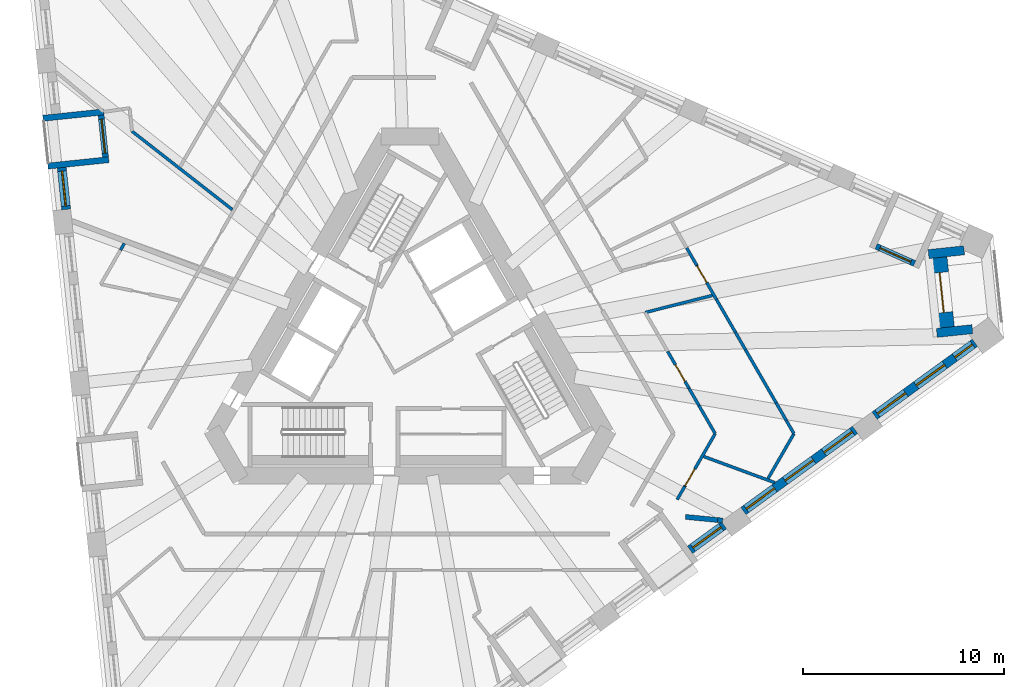
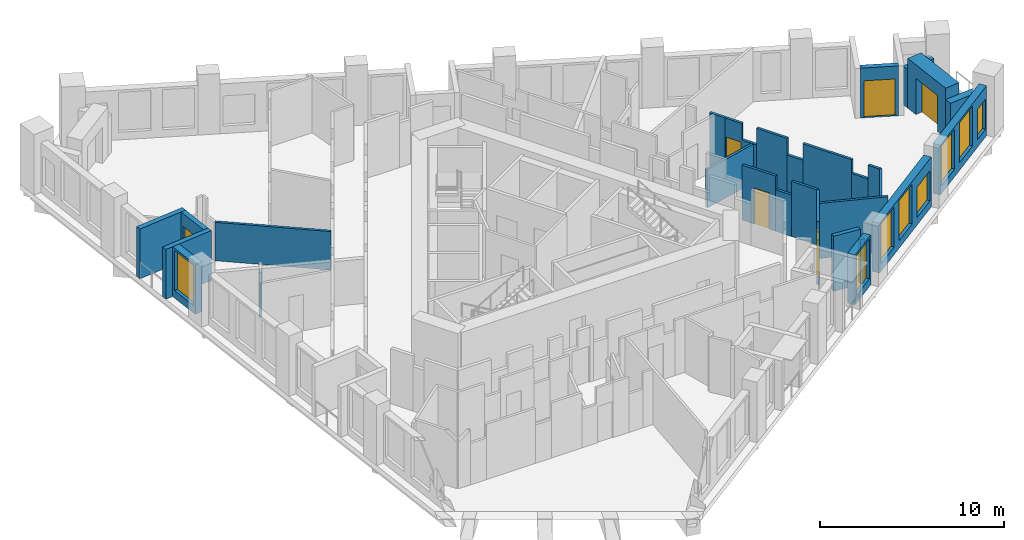
# One storey, part 6 of 14: 30 walls, 8 windows, 6 doors, 14 openings.
"""IFC4 building model written with IfcOpenShell, lengths in metres."""

from ifc_helpers import new_model, si_unit, direction, frame, frame_2d, origin, place, context, subcontext, project, spatial, polyline, rectangle, outline, extrude, material, layer, layer_set, type_object, element, fill, save


model = new_model("IFC4")

# Units and contexts
model_context = context("Model", 3, precision=1e-05, world=origin(), true_north=direction((0.0, 1.0)))
body_context = subcontext(model_context, "Body", "Model", "MODEL_VIEW")
ifc_project = project(units=[si_unit("LENGTHUNIT", "METRE"), si_unit("AREAUNIT", "SQUARE_METRE"), si_unit("VOLUMEUNIT", "CUBIC_METRE"), si_unit("PLANEANGLEUNIT", "RADIAN"), si_unit("MASSUNIT", "GRAM", prefix="KILO")], contexts=[model_context])

# Site, building, storey
site_placement = place(None, origin())
site = spatial("IfcSite", under=ifc_project, at=site_placement, CompositionType="ELEMENT")
building_placement = place(site_placement, origin())
building = spatial("IfcBuilding", under=site, at=building_placement, Name="Tramontana Tower", CompositionType="ELEMENT")
storey_placement = place(building_placement, frame((0.0, 0.0, 186.800048828125)))
storey = spatial("IfcBuildingStorey", under=building, at=storey_placement, Name="L43", CompositionType="ELEMENT", Elevation=186.800048828125)

# Wall, opening, window
ifc_material_1 = material(Name="Precast concrete 60 MPa", Category="concrete")
ifc_layer_1 = layer(ifc_material_1, 0.449951171875)
ifc_layer_set_1 = layer_set([ifc_layer_1], Name="Precast concrete 60 MPa, 450 mm")
wall_type_1 = type_object("IfcWallType", Name="EW1 Stone-faced precast wall 450", PredefinedType="SOLIDWALL", material=ifc_layer_set_1)
wall_1_placement = place(storey_placement, frame((-17.362060546875, 9.01171875, 0.0), z_axis=(0.0, 0.0, 1.0), x_axis=(0.104569484464, -0.994517583011, 0.0)))
wall_1 = element("IfcWall", 1, at=wall_1_placement, inside=storey, type_object=wall_type_1, Name="External wall L43 face 0 bay 2", PredefinedType="SOLIDWALL", context=body_context, shape_type="SweptSolid", body=[
    extrude(rectangle(XDim=2.09423828125, YDim=0.449951171875, at=frame_2d((1.047119140625, 0.0))), origin(), (0.0, 0.0, 1.0), 3.300048828125),
])
opening_1_placement = place(wall_1_placement, frame((0.172119140625, 0.0, 0.5)))
opening_1 = element("IfcOpeningElement", 2, at=opening_1_placement, cuts=wall_1, Name="Opening M2", PredefinedType="OPENING", context=body_context, shape_type="SweptSolid", body=[
    extrude(rectangle(XDim=1.75, YDim=2.64990234375, at=frame_2d((0.875, 1.324951171875))), frame((0.0, 0.23486328125, 0.0), z_axis=(0.0, -1.0, 0.0), x_axis=(1.0, 0.0, 0.0)), (0.0, 0.0, 1.0), 0.469970703125),
])
ifc_material_2 = material(Name="Aluminum frame, double glazing unit", Category="aluminium")
window_type_1 = type_object("IfcWindowType", Name="M2 Window 1.75 x 2.65", PartitioningType="SINGLE_PANEL", PredefinedType="WINDOW", material=ifc_material_2)
window_1_placement = place(opening_1_placement, origin())
window_1 = element("IfcWindow", 3, at=window_1_placement, inside=storey, type_object=window_type_1, Name="Window M2 L43 face 0 module 6", OverallHeight=2.64990234375, OverallWidth=1.75, PartitioningType="SINGLE_PANEL", PredefinedType="WINDOW", context=body_context, shape_type="SweptSolid", body=[
    extrude(rectangle(XDim=1.75, YDim=2.64990234375, at=frame_2d((0.875, 1.324951171875))), frame((0.0, 0.030029296875, 0.0), z_axis=(0.0, -1.0, 0.0), x_axis=(1.0, 0.0, 0.0)), (0.0, 0.0, 1.0), 0.06005859375),
])
fill(opening_1, window_1)

wall_2_placement = place(storey_placement, frame((13.955078125, -10.039794921875, 0.0), z_axis=(0.0, 0.0, 1.0), x_axis=(0.809028366311, 0.587769599847, 0.0)))
wall_2 = element("IfcWall", 4, at=wall_2_placement, inside=storey, type_object=wall_type_1, Name="External wall L43 face 1 bay 4", PredefinedType="SOLIDWALL", context=body_context, shape_type="SweptSolid", body=[
    extrude(rectangle(XDim=2.09423828125, YDim=0.449951171875, at=frame_2d((1.047119140625, 0.0))), origin(), (0.0, 0.0, 1.0), 3.300048828125),
])
opening_2_placement = place(wall_2_placement, frame((0.172119140625, 0.0, 0.5)))
opening_2 = element("IfcOpeningElement", 5, at=opening_2_placement, cuts=wall_2, Name="Opening M2", PredefinedType="OPENING", context=body_context, shape_type="SweptSolid", body=[
    extrude(rectangle(XDim=1.75, YDim=2.64990234375, at=frame_2d((0.875, 1.324951171875))), frame((0.0, 0.23486328125, 0.0), z_axis=(0.0, -1.0, 0.0), x_axis=(1.0, 0.0, 0.0)), (0.0, 0.0, 1.0), 0.469970703125),
])
window_2_placement = place(opening_2_placement, origin())
window_2 = element("IfcWindow", 6, at=window_2_placement, inside=storey, type_object=window_type_1, Name="Window M2 L43 face 1 module 12", OverallHeight=2.64990234375, OverallWidth=1.75, PartitioningType="SINGLE_PANEL", PredefinedType="WINDOW", context=body_context, shape_type="SweptSolid", body=[
    extrude(rectangle(XDim=1.75, YDim=2.64990234375, at=frame_2d((0.875, 1.324951171875))), frame((0.0, 0.030029296875, 0.0), z_axis=(0.0, -1.0, 0.0), x_axis=(1.0, 0.0, 0.0)), (0.0, 0.0, 1.0), 0.06005859375),
])
fill(opening_2, window_2)

# Wall, openings, windows
wall_3_placement = place(storey_placement, frame((16.6201171875, -8.103515625, 0.0), z_axis=(0.0, 0.0, 1.0), x_axis=(0.809016690404, 0.587785670672, 0.0)))
wall_3 = element("IfcWall", 7, at=wall_3_placement, inside=storey, type_object=wall_type_1, Name="External wall L43 face 1 bay 5", PredefinedType="SOLIDWALL", context=body_context, shape_type="SweptSolid", body=[
    extrude(rectangle(XDim=6.8828125, YDim=0.449951171875, at=frame_2d((3.44140625, 0.0))), origin(), (0.0, 0.0, 1.0), 3.300048828125),
])
opening_3_placement = place(wall_3_placement, frame((0.172119140625, 0.0, 0.5)))
opening_3 = element("IfcOpeningElement", 8, at=opening_3_placement, cuts=wall_3, Name="Opening M2", PredefinedType="OPENING", context=body_context, shape_type="SweptSolid", body=[
    extrude(rectangle(XDim=1.75, YDim=2.64990234375, at=frame_2d((0.875, 1.324951171875))), frame((0.0, 0.23486328125, 0.0), z_axis=(0.0, -1.0, 0.0), x_axis=(1.0, 0.0, 0.0)), (0.0, 0.0, 1.0), 0.469970703125),
])
opening_4_placement = place(wall_3_placement, frame((2.56640625, 0.0, 0.5)))
opening_4 = element("IfcOpeningElement", 9, at=opening_4_placement, cuts=wall_3, Name="Opening M2", PredefinedType="OPENING", context=body_context, shape_type="SweptSolid", body=[
    extrude(rectangle(XDim=1.75, YDim=2.64990234375, at=frame_2d((0.875, 1.324951171875))), frame((0.0, 0.23486328125, 0.0), z_axis=(0.0, -1.0, 0.0), x_axis=(1.0, 0.0, 0.0)), (0.0, 0.0, 1.0), 0.469970703125),
])
opening_5_placement = place(wall_3_placement, frame((4.960693359375, 0.0, 0.5)))
opening_5 = element("IfcOpeningElement", 10, at=opening_5_placement, cuts=wall_3, Name="Opening M2L", PredefinedType="OPENING", context=body_context, shape_type="SweptSolid", body=[
    extrude(rectangle(XDim=1.75, YDim=2.0, at=frame_2d((0.875, 1.0))), frame((0.0, 0.23486328125, 0.0), z_axis=(0.0, -1.0, 0.0), x_axis=(1.0, 0.0, 0.0)), (0.0, 0.0, 1.0), 0.469970703125),
])
window_3_placement = place(opening_3_placement, origin())
window_3 = element("IfcWindow", 11, at=window_3_placement, inside=storey, type_object=window_type_1, Name="Window M2 L43 face 1 module 13", OverallHeight=2.64990234375, OverallWidth=1.75, PartitioningType="SINGLE_PANEL", PredefinedType="WINDOW", context=body_context, shape_type="SweptSolid", body=[
    extrude(rectangle(XDim=1.75, YDim=2.64990234375, at=frame_2d((0.875, 1.324951171875))), frame((0.0, 0.030029296875, 0.0), z_axis=(0.0, -1.0, 0.0), x_axis=(1.0, 0.0, 0.0)), (0.0, 0.0, 1.0), 0.06005859375),
])
fill(opening_3, window_3)
window_4_placement = place(opening_4_placement, origin())
window_4 = element("IfcWindow", 12, at=window_4_placement, inside=storey, type_object=window_type_1, Name="Window M2 L43 face 1 module 14", OverallHeight=2.64990234375, OverallWidth=1.75, PartitioningType="SINGLE_PANEL", PredefinedType="WINDOW", context=body_context, shape_type="SweptSolid", body=[
    extrude(rectangle(XDim=1.75, YDim=2.64990234375, at=frame_2d((0.875, 1.324951171875))), frame((0.0, 0.030029296875, 0.0), z_axis=(0.0, -1.0, 0.0), x_axis=(1.0, 0.0, 0.0)), (0.0, 0.0, 1.0), 0.06005859375),
])
fill(opening_4, window_4)
ifc_material_3 = material(Name="Aluminum frame, double glazing unit", Category="aluminium")
window_type_2 = type_object("IfcWindowType", Name="M2L Window 1.75 x 2", PartitioningType="SINGLE_PANEL", PredefinedType="WINDOW", material=ifc_material_3)
window_5_placement = place(opening_5_placement, origin())
window_5 = element("IfcWindow", 13, at=window_5_placement, inside=storey, type_object=window_type_2, Name="Window M2L L43 face 1 module 15", OverallHeight=2.0, OverallWidth=1.75, PartitioningType="SINGLE_PANEL", PredefinedType="WINDOW", context=body_context, shape_type="SweptSolid", body=[
    extrude(rectangle(XDim=1.75, YDim=2.0, at=frame_2d((0.875, 1.0))), frame((0.0, 0.030029296875, 0.0), z_axis=(0.0, -1.0, 0.0), x_axis=(1.0, 0.0, 0.0)), (0.0, 0.0, 1.0), 0.06005859375),
])
fill(opening_5, window_5)

wall_4_placement = place(storey_placement, frame((23.159423828125, -3.3525390625, 0.0), z_axis=(0.0, 0.0, 1.0), x_axis=(0.809005790194, 0.587800673215, 0.0)))
wall_4 = element("IfcWall", 14, at=wall_4_placement, inside=storey, type_object=wall_type_1, Name="External wall L43 face 1 bay 6", PredefinedType="SOLIDWALL", context=body_context, shape_type="SweptSolid", body=[
    extrude(rectangle(XDim=6.182861328125, YDim=0.449951171875, at=frame_2d((3.09130859375, 0.0))), origin(), (0.0, 0.0, 1.0), 3.300048828125),
])
opening_6_placement = place(wall_4_placement, frame((0.172119140625, 0.0, 0.5)))
opening_6 = element("IfcOpeningElement", 15, at=opening_6_placement, cuts=wall_4, Name="Opening M2", PredefinedType="OPENING", context=body_context, shape_type="SweptSolid", body=[
    extrude(rectangle(XDim=1.75, YDim=2.64990234375, at=frame_2d((0.875, 1.324951171875))), frame((0.0, 0.23486328125, 0.0), z_axis=(0.0, -1.0, 0.0), x_axis=(1.0, 0.0, 0.0)), (0.0, 0.0, 1.0), 0.469970703125),
])
opening_7_placement = place(wall_4_placement, frame((2.56640625, 0.0, 0.5)))
opening_7 = element("IfcOpeningElement", 16, at=opening_7_placement, cuts=wall_4, Name="Opening M2", PredefinedType="OPENING", context=body_context, shape_type="SweptSolid", body=[
    extrude(rectangle(XDim=1.75, YDim=2.64990234375, at=frame_2d((0.875, 1.324951171875))), frame((0.0, 0.23486328125, 0.0), z_axis=(0.0, -1.0, 0.0), x_axis=(1.0, 0.0, 0.0)), (0.0, 0.0, 1.0), 0.469970703125),
])
opening_8_placement = place(wall_4_placement, frame((4.935791015625, 0.0, 0.5)))
opening_8 = element("IfcOpeningElement", 17, at=opening_8_placement, cuts=wall_4, Name="Opening N2L", PredefinedType="OPENING", context=body_context, shape_type="SweptSolid", body=[
    extrude(rectangle(XDim=1.10009765625, YDim=2.0, at=frame_2d((0.550048828125, 1.0))), frame((0.0, 0.23486328125, 0.0), z_axis=(0.0, -1.0, 0.0), x_axis=(1.0, 0.0, 0.0)), (0.0, 0.0, 1.0), 0.469970703125),
])
window_6_placement = place(opening_6_placement, origin())
window_6 = element("IfcWindow", 18, at=window_6_placement, inside=storey, type_object=window_type_1, Name="Window M2 L43 face 1 module 16", OverallHeight=2.64990234375, OverallWidth=1.75, PartitioningType="SINGLE_PANEL", PredefinedType="WINDOW", context=body_context, shape_type="SweptSolid", body=[
    extrude(rectangle(XDim=1.75, YDim=2.64990234375, at=frame_2d((0.875, 1.324951171875))), frame((0.0, 0.030029296875, 0.0), z_axis=(0.0, -1.0, 0.0), x_axis=(1.0, 0.0, 0.0)), (0.0, 0.0, 1.0), 0.06005859375),
])
fill(opening_6, window_6)
window_7_placement = place(opening_7_placement, origin())
window_7 = element("IfcWindow", 19, at=window_7_placement, inside=storey, type_object=window_type_1, Name="Window M2 L43 face 1 module 17", OverallHeight=2.64990234375, OverallWidth=1.75, PartitioningType="SINGLE_PANEL", PredefinedType="WINDOW", context=body_context, shape_type="SweptSolid", body=[
    extrude(rectangle(XDim=1.75, YDim=2.64990234375, at=frame_2d((0.875, 1.324951171875))), frame((0.0, 0.030029296875, 0.0), z_axis=(0.0, -1.0, 0.0), x_axis=(1.0, 0.0, 0.0)), (0.0, 0.0, 1.0), 0.06005859375),
])
fill(opening_7, window_7)
ifc_material_4 = material(Name="Aluminum frame, double glazing unit", Category="aluminium")
window_type_3 = type_object("IfcWindowType", Name="N2L Window 1.1 x 2", PartitioningType="SINGLE_PANEL", PredefinedType="WINDOW", material=ifc_material_4)
window_8_placement = place(opening_8_placement, origin())
window_8 = element("IfcWindow", 20, at=window_8_placement, inside=storey, type_object=window_type_3, Name="Window N2L L43 face 1 module 18", OverallHeight=2.0, OverallWidth=1.10009765625, PartitioningType="SINGLE_PANEL", PredefinedType="WINDOW", context=body_context, shape_type="SweptSolid", body=[
    extrude(rectangle(XDim=1.10009765625, YDim=2.0, at=frame_2d((0.550048828125, 1.0))), frame((0.0, 0.030029296875, 0.0), z_axis=(0.0, -1.0, 0.0), x_axis=(1.0, 0.0, 0.0)), (0.0, 0.0, 1.0), 0.06005859375),
])
fill(opening_8, window_8)

# Walls
wall_5_placement = place(storey_placement, frame((27.619384765625, 4.888916015625, 0.0), z_axis=(0.0, 0.0, 1.0), x_axis=(-0.994517477618, -0.104570486815, 0.0)))
element("IfcWall", 21, at=wall_5_placement, inside=storey, type_object=wall_type_1, Name="Corner loggia side wall L43 K42l", PredefinedType="SOLIDWALL", context=body_context, shape_type="SweptSolid", body=[
    extrude(rectangle(XDim=1.779052734375, YDim=0.449951171875, at=frame_2d((0.8896484375, 0.0))), origin(), (0.0, 0.0, 1.0), 2.550048828125),
])
wall_6_placement = place(storey_placement, frame((28.032470703125, 0.96044921875, 0.0), z_axis=(0.0, 0.0, 1.0), x_axis=(-0.994518977937, -0.104556217051, 0.0)))
element("IfcWall", 22, at=wall_6_placement, inside=storey, type_object=wall_type_1, Name="Corner loggia side wall L43 K42r", PredefinedType="SOLIDWALL", context=body_context, shape_type="SweptSolid", body=[
    extrude(rectangle(XDim=1.779296875, YDim=0.449951171875, at=frame_2d((0.8896484375, 0.0))), origin(), (0.0, 0.0, 1.0), 2.550048828125),
])

# Wall, opening, door
ifc_material_5 = material(Name="Precast concrete 60 MPa", Category="concrete")
ifc_layer_2 = layer(ifc_material_5, 0.89990234375)
ifc_layer_set_2 = layer_set([ifc_layer_2], Name="EW2 Stone-faced corner loggia wall 900")
wall_type_2 = type_object("IfcWallType", Name="EW2 Stone-faced corner loggia wall 900", PredefinedType="SOLIDWALL", material=ifc_layer_set_2)
wall_7_placement = place(storey_placement, frame((26.321044921875, 4.526123046875, 0.0), z_axis=(0.0, 0.0, 1.0), x_axis=(0.104557701916, -0.994518821828, 0.0)))
wall_7 = element("IfcWall", 23, at=wall_7_placement, inside=storey, type_object=wall_type_2, Name="Corner loggia wall L43 K42", PredefinedType="SOLIDWALL", context=body_context, shape_type="SweptSolid", body=[
    extrude(rectangle(XDim=3.500244140625, YDim=0.89990234375, at=frame_2d((1.75, 0.0))), origin(), (0.0, 0.0, 1.0), 3.300048828125),
])
opening_9_placement = place(wall_7_placement, frame((0.75, 0.0, 0.0)))
opening_9 = element("IfcOpeningElement", 24, at=opening_9_placement, cuts=wall_7, Name="Opening BD-42C", PredefinedType="OPENING", context=body_context, shape_type="SweptSolid", body=[
    extrude(rectangle(XDim=2.0, YDim=2.39990234375, at=frame_2d((1.0, 1.199951171875))), frame((0.0, 0.4599609375, 0.0), z_axis=(0.0, -1.0, 0.0), x_axis=(1.0, 0.0, 0.0)), (0.0, 0.0, 1.0), 0.919921875),
])
ifc_material_6 = material(Name="Aluminum frame, double glazing unit", Category="aluminium")
door_type_1 = type_object("IfcDoorType", Name="BC1 Sliding door 2 x 2.4", OperationType="SLIDING_TO_LEFT", PredefinedType="DOOR", material=ifc_material_6)
door_1_placement = place(opening_9_placement, origin())
door_1 = element("IfcDoor", 25, at=door_1_placement, inside=storey, type_object=door_type_1, Name="Corner loggia door L43 K42", OperationType="SLIDING_TO_LEFT", OverallHeight=2.39990234375, OverallWidth=2.0, PredefinedType="DOOR", context=body_context, shape_type="SweptSolid", body=[
    extrude(rectangle(XDim=2.0, YDim=2.39990234375, at=frame_2d((1.0, 1.199951171875))), frame((0.0, 0.02490234375, 0.0), z_axis=(0.0, -1.0, 0.0), x_axis=(1.0, 0.0, 0.0)), (0.0, 0.0, 1.0), 0.050048828125),
])
fill(opening_9, door_1)

ifc_material_7 = material(Name="Precast concrete 60 MPa", Category="concrete")
ifc_layer_3 = layer(ifc_material_7, 0.300048828125)
ifc_layer_set_3 = layer_set([ifc_layer_3], Name="LW1 Stone-faced loggia wall 300")
wall_type_3 = type_object("IfcWallType", Name="LW1 Stone-faced loggia wall 300", PredefinedType="SOLIDWALL", material=ifc_layer_set_3)
wall_8_placement = place(storey_placement, frame((-15.399658203125, 11.62548828125, 0.0), z_axis=(0.0, 0.0, 1.0), x_axis=(0.104569484464, -0.994517583011, 0.0)))
wall_8 = element("IfcWall", 26, at=wall_8_placement, inside=storey, type_object=wall_type_3, Name="Loggia wall L43 G4S0.4", PredefinedType="SOLIDWALL", context=body_context, shape_type="SweptSolid", body=[
    extrude(rectangle(XDim=2.09423828125, YDim=0.300048828125, at=frame_2d((1.047119140625, 0.0))), origin(), (0.0, 0.0, 1.0), 3.300048828125),
])
opening_10_placement = place(wall_8_placement, frame((0.197265625, 0.0, 0.0)))
opening_10 = element("IfcOpeningElement", 27, at=opening_10_placement, cuts=wall_8, Name="Opening BD-4S0-04", PredefinedType="OPENING", context=body_context, shape_type="SweptSolid", body=[
    extrude(rectangle(XDim=1.699951171875, YDim=2.449951171875, at=frame_2d((0.85009765625, 1.22509765625))), frame((0.0, 0.159912109375, 0.0), z_axis=(0.0, -1.0, 0.0), x_axis=(1.0, 0.0, 0.0)), (0.0, 0.0, 1.0), 0.320068359375),
])
ifc_material_8 = material(Name="Aluminum frame, double glazing unit", Category="aluminium")
door_type_2 = type_object("IfcDoorType", Name="BD2 Sliding door 1.7 x 2.45", OperationType="SLIDING_TO_LEFT", PredefinedType="DOOR", material=ifc_material_8)
door_2_placement = place(opening_10_placement, origin())
door_2 = element("IfcDoor", 28, at=door_2_placement, inside=storey, type_object=door_type_2, Name="Loggia door L43 G4S0.4", OperationType="SLIDING_TO_LEFT", OverallHeight=2.449951171875, OverallWidth=1.699951171875, PredefinedType="DOOR", context=body_context, shape_type="SweptSolid", body=[
    extrude(rectangle(XDim=1.699951171875, YDim=2.449951171875, at=frame_2d((0.85009765625, 1.22509765625))), frame((0.0, 0.02490234375, 0.0), z_axis=(0.0, -1.0, 0.0), x_axis=(1.0, 0.0, 0.0)), (0.0, 0.0, 1.0), 0.050048828125),
])
fill(opening_10, door_2)

# Walls
for number, where, z_axis, x_axis, name in (
    (29, (-18.29931640625, 11.471435546875, 0.0), (0.0, 0.0, 1.0), (0.994520355942, 0.104543108891, 0.0), "Loggia return L43 G4S0.4a"),
    (30, (-18.049072265625, 9.09033203125, 0.0), (0.0, 0.0, 1.0), (0.994520355942, 0.104543108891, 0.0), "Loggia return L43 G4S0.4b"),
):
    element("IfcWall", number, at=place(storey_placement, frame(where, z_axis=z_axis, x_axis=x_axis)), inside=storey, type_object=wall_type_3, Name=name, PredefinedType="SOLIDWALL", context=body_context, shape_type="SweptSolid", body=[
        extrude(rectangle(XDim=3.0498046875, YDim=0.300048828125, at=frame_2d((1.52490234375, 0.0))), origin(), (0.0, 0.0, 1.0), 3.300048828125),
    ])

# Wall, opening, door
wall_9_placement = place(storey_placement, frame((25.15185546875, 4.236083984375, 0.0), z_axis=(0.0, 0.0, 1.0), x_axis=(-0.913556597974, 0.40671162056, 0.0)))
wall_9 = element("IfcWall", 31, at=wall_9_placement, inside=storey, type_object=wall_type_3, Name="Loggia wall L43 G4S2.1", PredefinedType="SOLIDWALL", context=body_context, shape_type="SweptSolid", body=[
    extrude(rectangle(XDim=2.094482421875, YDim=0.300048828125, at=frame_2d((1.04736328125, 0.0))), origin(), (0.0, 0.0, 1.0), 3.300048828125),
])
opening_11_placement = place(wall_9_placement, frame((0.197265625, 0.0, 0.0)))
opening_11 = element("IfcOpeningElement", 32, at=opening_11_placement, cuts=wall_9, Name="Opening BD-4S2-01", PredefinedType="OPENING", context=body_context, shape_type="SweptSolid", body=[
    extrude(rectangle(XDim=1.699951171875, YDim=2.449951171875, at=frame_2d((0.85009765625, 1.22509765625))), frame((0.0, 0.159912109375, 0.0), z_axis=(0.0, -1.0, 0.0), x_axis=(1.0, 0.0, 0.0)), (0.0, 0.0, 1.0), 0.320068359375),
])
door_3_placement = place(opening_11_placement, origin())
door_3 = element("IfcDoor", 33, at=door_3_placement, inside=storey, type_object=door_type_2, Name="Loggia door L43 G4S2.1", OperationType="SLIDING_TO_LEFT", OverallHeight=2.449951171875, OverallWidth=1.699951171875, PredefinedType="DOOR", context=body_context, shape_type="SweptSolid", body=[
    extrude(rectangle(XDim=1.699951171875, YDim=2.449951171875, at=frame_2d((0.85009765625, 1.22509765625))), frame((0.0, 0.02490234375, 0.0), z_axis=(0.0, -1.0, 0.0), x_axis=(1.0, 0.0, 0.0)), (0.0, 0.0, 1.0), 0.050048828125),
])
fill(opening_11, door_3)

# Walls
ifc_material_9 = material(Name="Gypsum board partition")
ifc_layer_4 = layer(ifc_material_9, 0.14990234375)
ifc_layer_set_4 = layer_set([ifc_layer_4], Name="PARTITION 150")
wall_type_4 = type_object("IfcWallType", Name="PARTITION 150", PredefinedType="PARTITIONING", material=ifc_layer_set_4)
wall_10_placement = place(storey_placement, frame((-14.432373046875, 4.90234375, 0.0), z_axis=(0.0, 0.0, 1.0), x_axis=(0.499960447986, 0.866048237946, 0.0)))
element("IfcWall", 34, at=wall_10_placement, inside=storey, type_object=wall_type_4, Name="Wall v42-pw00-1", PredefinedType="PARTITIONING", context=body_context, shape_type="SweptSolid", body=[
    extrude(rectangle(XDim=0.384765625, YDim=0.14990234375, at=frame_2d((0.1923828125, 0.0))), origin(), (0.0, 0.0, 1.0), 2.949951171875),
])
wall_11_placement = place(storey_placement, frame((-8.852783203125, 6.916748046875, 0.0), z_axis=(0.0, 0.0, 1.0), x_axis=(-0.788021459681, 0.61564777193, 0.0)))
element("IfcWall", 35, at=wall_11_placement, inside=storey, type_object=wall_type_4, Name="Wall v42-pw12-0", PredefinedType="PARTITIONING", context=body_context, shape_type="SweptSolid", body=[
    extrude(rectangle(XDim=6.350830078125, YDim=0.14990234375, at=frame_2d((3.17529296875, 0.0))), origin(), (0.0, 0.0, 1.0), 2.550048828125),
])

# Wall, opening, door
wall_12_placement = place(storey_placement, frame((12.845703125, -0.149658203125, 0.0), z_axis=(0.0, 0.0, 1.0), x_axis=(0.500073154421, -0.86598316394, 0.0)))
wall_12 = element("IfcWall", 36, at=wall_12_placement, inside=storey, type_object=wall_type_4, Name="Wall v42-pw34-2", PredefinedType="PARTITIONING", context=body_context, shape_type="SweptSolid", body=[
    extrude(rectangle(XDim=2.109130859375, YDim=0.14990234375, at=frame_2d((1.0546875, 0.0))), origin(), (0.0, 0.0, 1.0), 3.64990234375),
])
opening_12_placement = place(wall_12_placement, frame((0.77197265625, 0.0, 0.0)))
opening_12 = element("IfcOpeningElement", 37, at=opening_12_placement, cuts=wall_12, Name="Opening B4C-12", PredefinedType="OPENING", context=body_context, shape_type="SweptSolid", body=[
    extrude(rectangle(XDim=0.949951171875, YDim=2.39990234375, at=frame_2d((0.47509765625, 1.199951171875))), frame((0.0, 0.0849609375, 0.0), z_axis=(0.0, -1.0, 0.0), x_axis=(1.0, 0.0, 0.0)), (0.0, 0.0, 1.0), 0.169921875),
])
ifc_material_10 = material(Name="Painted timber", Category="wood")
door_type_3 = type_object("IfcDoorType", Name="DOOR ROOM 950", OperationType="SINGLE_SWING_LEFT", PredefinedType="DOOR", material=ifc_material_10)
door_4_placement = place(opening_12_placement, origin())
door_4 = element("IfcDoor", 38, at=door_4_placement, inside=storey, type_object=door_type_3, Name="Door B4C-12", OperationType="SINGLE_SWING_RIGHT", OverallHeight=2.39990234375, OverallWidth=0.949951171875, PredefinedType="DOOR", context=body_context, shape_type="SweptSolid", body=[
    extrude(rectangle(XDim=0.949951171875, YDim=2.39990234375, at=frame_2d((0.47509765625, 1.199951171875))), frame((0.0, 0.02490234375, 0.0), z_axis=(0.0, -1.0, 0.0), x_axis=(1.0, 0.0, 0.0)), (0.0, 0.0, 1.0), 0.050048828125),
])
fill(opening_12, door_4)

# Walls
wall_13_placement = place(storey_placement, frame((13.900390625, -1.97607421875, 0.0), z_axis=(0.0, 0.0, 1.0), x_axis=(0.499946326053, -0.866056390234, 0.0)))
element("IfcWall", 39, at=wall_13_placement, inside=storey, type_object=wall_type_4, Name="Wall v42-pw34-3", PredefinedType="PARTITIONING", context=body_context, shape_type="SweptSolid", body=[
    extrude(rectangle(XDim=1.0068359375, YDim=0.14990234375, at=frame_2d((0.50341796875, 0.0))), origin(), (0.0, 0.0, 1.0), 2.75),
])
wall_14_placement = place(storey_placement, frame((14.40380859375, -2.84814453125, 0.0), z_axis=(0.0, 0.0, 1.0), x_axis=(0.499983569942, -0.866034889475, 0.0)))
element("IfcWall", 40, at=wall_14_placement, inside=storey, type_object=wall_type_4, Name="Wall v42-pw34-4", PredefinedType="PARTITIONING", context=body_context, shape_type="SweptSolid", body=[
    extrude(rectangle(XDim=1.61865234375, YDim=0.14990234375, at=frame_2d((0.809326171875, 0.0))), origin(), (0.0, 0.0, 1.0), 3.64990234375),
])
wall_15_placement = place(storey_placement, frame((13.792724609375, 5.010498046875, 0.0), z_axis=(0.0, 0.0, 1.0), x_axis=(0.499999078476, -0.866025935826, 0.0)))
element("IfcWall", 41, at=wall_15_placement, inside=storey, type_object=wall_type_4, Name="Wall v42-pw37-2", PredefinedType="PARTITIONING", context=body_context, shape_type="SweptSolid", body=[
    extrude(rectangle(XDim=0.9931640625, YDim=0.14990234375, at=frame_2d((0.49658203125, 0.0))), origin(), (0.0, 0.0, 1.0), 3.64990234375),
])

# Wall, opening, door
wall_16_placement = place(storey_placement, frame((14.289306640625, 4.150390625, 0.0), z_axis=(0.0, 0.0, 1.0), x_axis=(0.499926382705, -0.866067902578, 0.0)))
wall_16 = element("IfcWall", 42, at=wall_16_placement, inside=storey, type_object=wall_type_4, Name="Wall v42-pw37-3", PredefinedType="PARTITIONING", context=body_context, shape_type="SweptSolid", body=[
    extrude(outline(polyline([(0.0, 0.0), (1.968994140625, 0.0), (1.96923828125, 2.550048828125), (1.042236328125, 2.550048828125), (1.042236328125, 3.64990234375), (0.0, 3.64990234375), (0.0, 0.0)])), frame((0.0, 0.074951171875, 0.0), z_axis=(0.0, -1.0, 0.0), x_axis=(1.0, 0.0, 0.0)), (0.0, 0.0, 1.0), 0.14990234375),
])
opening_13_placement = place(wall_16_placement, frame((0.050048828125, 0.0, 0.0)))
opening_13 = element("IfcOpeningElement", 43, at=opening_13_placement, cuts=wall_16, Name="Opening B4C-14", PredefinedType="OPENING", context=body_context, shape_type="SweptSolid", body=[
    extrude(rectangle(XDim=0.949951171875, YDim=2.39990234375, at=frame_2d((0.47509765625, 1.199951171875))), frame((0.0, 0.0849609375, 0.0), z_axis=(0.0, -1.0, 0.0), x_axis=(1.0, 0.0, 0.0)), (0.0, 0.0, 1.0), 0.169921875),
])
door_5_placement = place(opening_13_placement, origin())
door_5 = element("IfcDoor", 44, at=door_5_placement, inside=storey, type_object=door_type_3, Name="Door B4C-14", OperationType="SINGLE_SWING_RIGHT", OverallHeight=2.39990234375, OverallWidth=0.949951171875, PredefinedType="DOOR", context=body_context, shape_type="SweptSolid", body=[
    extrude(rectangle(XDim=0.949951171875, YDim=2.39990234375, at=frame_2d((0.47509765625, 1.199951171875))), frame((0.0, 0.02490234375, 0.0), z_axis=(0.0, -1.0, 0.0), x_axis=(1.0, 0.0, 0.0)), (0.0, 0.0, 1.0), 0.050048828125),
])
fill(opening_13, door_5)

# Walls
wall_17_placement = place(storey_placement, frame((15.273681640625, 2.445068359375, 0.0), z_axis=(0.0, 0.0, 1.0), x_axis=(0.499971120268, -0.866042076863, 0.0)))
element("IfcWall", 45, at=wall_17_placement, inside=storey, type_object=wall_type_4, Name="Wall v42-pw37-4", PredefinedType="PARTITIONING", context=body_context, shape_type="SweptSolid", body=[
    extrude(rectangle(XDim=1.89794921875, YDim=0.14990234375, at=frame_2d((0.948974609375, 0.0))), origin(), (0.0, 0.0, 1.0), 3.64990234375),
])
wall_18_placement = place(storey_placement, frame((16.22265625, 0.80126953125, 0.0), z_axis=(0.0, 0.0, 1.0), x_axis=(0.500138987177, -0.865945144628, 0.0)))
element("IfcWall", 46, at=wall_18_placement, inside=storey, type_object=wall_type_4, Name="Wall v42-pw37-5", PredefinedType="PARTITIONING", context=body_context, shape_type="SweptSolid", body=[
    extrude(rectangle(XDim=0.997802734375, YDim=0.14990234375, at=frame_2d((0.4990234375, 0.0))), origin(), (0.0, 0.0, 1.0), 2.550048828125),
])
wall_19_placement = place(storey_placement, frame((16.7216796875, -0.062744140625, 0.0), z_axis=(0.0, 0.0, 1.0), x_axis=(0.500009621294, -0.866019848856, 0.0)))
element("IfcWall", 47, at=wall_19_placement, inside=storey, type_object=wall_type_4, Name="Wall v42-pw37-6", PredefinedType="PARTITIONING", context=body_context, shape_type="SweptSolid", body=[
    extrude(rectangle(XDim=3.06640625, YDim=0.14990234375, at=frame_2d((1.533203125, 0.0))), origin(), (0.0, 0.0, 1.0), 3.64990234375),
])
wall_20_placement = place(storey_placement, frame((18.2548828125, -2.71826171875, 0.0), z_axis=(0.0, 0.0, 1.0), x_axis=(0.499946326053, -0.866056390234, 0.0)))
element("IfcWall", 48, at=wall_20_placement, inside=storey, type_object=wall_type_4, Name="Wall v42-pw37-7", PredefinedType="PARTITIONING", context=body_context, shape_type="SweptSolid", body=[
    extrude(rectangle(XDim=1.0068359375, YDim=0.14990234375, at=frame_2d((0.50341796875, 0.0))), origin(), (0.0, 0.0, 1.0), 2.75),
])
wall_21_placement = place(storey_placement, frame((18.75830078125, -3.59033203125, 0.0), z_axis=(0.0, 0.0, 1.0), x_axis=(0.499999897272, -0.866025463095, 0.0)))
element("IfcWall", 49, at=wall_21_placement, inside=storey, type_object=wall_type_4, Name="Wall v42-pw37-8", PredefinedType="PARTITIONING", context=body_context, shape_type="SweptSolid", body=[
    extrude(rectangle(XDim=0.76171875, YDim=0.14990234375, at=frame_2d((0.380859375, 0.0))), origin(), (0.0, 0.0, 1.0), 3.64990234375),
])
wall_22_placement = place(storey_placement, frame((15.07373046875, 2.641357421875, 0.0), z_axis=(0.0, 0.0, 1.0), x_axis=(-0.969233713032, -0.246142254647, 0.0)))
element("IfcWall", 50, at=wall_22_placement, inside=storey, type_object=wall_type_4, Name="Wall v42-pw39-0", PredefinedType="PARTITIONING", context=body_context, shape_type="SweptSolid", body=[
    extrude(rectangle(XDim=3.45458984375, YDim=0.14990234375, at=frame_2d((1.727294921875, 0.0))), origin(), (0.0, 0.0, 1.0), 2.550048828125),
])

# Wall, opening, door
wall_23_placement = place(storey_placement, frame((15.213134765625, -4.25, 0.0), z_axis=(0.0, 0.0, 1.0), x_axis=(-0.500018497585, -0.866014723935, 0.0)))
wall_23 = element("IfcWall", 51, at=wall_23_placement, inside=storey, type_object=wall_type_4, Name="Wall v42-pw40-0", PredefinedType="PARTITIONING", context=body_context, shape_type="SweptSolid", body=[
    extrude(rectangle(XDim=3.0458984375, YDim=0.14990234375, at=frame_2d((1.52294921875, 0.0))), origin(), (0.0, 0.0, 1.0), 3.64990234375),
])
opening_14_placement = place(wall_23_placement, frame((2.0400390625, 0.0, 0.0)))
opening_14 = element("IfcOpeningElement", 52, at=opening_14_placement, cuts=wall_23, Name="Opening B4C-15", PredefinedType="OPENING", context=body_context, shape_type="SweptSolid", body=[
    extrude(rectangle(XDim=0.949951171875, YDim=2.39990234375, at=frame_2d((0.47509765625, 1.199951171875))), frame((0.0, 0.0849609375, 0.0), z_axis=(0.0, -1.0, 0.0), x_axis=(1.0, 0.0, 0.0)), (0.0, 0.0, 1.0), 0.169921875),
])
door_6_placement = place(opening_14_placement, origin())
door_6 = element("IfcDoor", 53, at=door_6_placement, inside=storey, type_object=door_type_3, Name="Door B4C-15", OperationType="SINGLE_SWING_LEFT", OverallHeight=2.39990234375, OverallWidth=0.949951171875, PredefinedType="DOOR", context=body_context, shape_type="SweptSolid", body=[
    extrude(rectangle(XDim=0.949951171875, YDim=2.39990234375, at=frame_2d((0.47509765625, 1.199951171875))), frame((0.0, 0.02490234375, 0.0), z_axis=(0.0, -1.0, 0.0), x_axis=(1.0, 0.0, 0.0)), (0.0, 0.0, 1.0), 0.050048828125),
])
fill(opening_14, door_6)

# Walls
wall_24_placement = place(storey_placement, frame((13.690185546875, -6.8876953125, 0.0), z_axis=(0.0, 0.0, 1.0), x_axis=(-0.499987686533, -0.866032512851, 0.0)))
element("IfcWall", 54, at=wall_24_placement, inside=storey, type_object=wall_type_4, Name="Wall v42-pw40-1", PredefinedType="PARTITIONING", context=body_context, shape_type="SweptSolid", body=[
    extrude(rectangle(XDim=0.74365234375, YDim=0.14990234375, at=frame_2d((0.371826171875, 0.0))), origin(), (0.0, 0.0, 1.0), 2.949951171875),
])
wall_25_placement = place(storey_placement, frame((18.182373046875, -6.6904296875, 0.0), z_axis=(0.0, 0.0, 1.0), x_axis=(-0.938476772348, 0.345342363117, 0.0)))
element("IfcWall", 55, at=wall_25_placement, inside=storey, type_object=wall_type_4, Name="Wall v42-pw41", PredefinedType="PARTITIONING", context=body_context, shape_type="SweptSolid", body=[
    extrude(rectangle(XDim=3.771484375, YDim=0.14990234375, at=frame_2d((1.8857421875, 0.0))), origin(), (0.0, 0.0, 1.0), 3.64990234375),
])
wall_26_placement = place(storey_placement, frame((19.13916015625, -4.25, 0.0), z_axis=(0.0, 0.0, 1.0), x_axis=(-0.500011491418, -0.866018769109, 0.0)))
element("IfcWall", 56, at=wall_26_placement, inside=storey, type_object=wall_type_4, Name="Wall v42-pw42", PredefinedType="PARTITIONING", context=body_context, shape_type="SweptSolid", body=[
    extrude(rectangle(XDim=2.58349609375, YDim=0.14990234375, at=frame_2d((1.291748046875, 0.0))), origin(), (0.0, 0.0, 1.0), 3.64990234375),
])
ifc_material_11 = material(Name="Blockwork", Category="masonry")
ifc_layer_5 = layer(ifc_material_11, 0.25)
ifc_layer_set_5 = layer_set([ifc_layer_5], Name="PARTY WALL 250")
wall_type_5 = type_object("IfcWallType", Name="PARTY WALL 250", PredefinedType="SOLIDWALL", material=ifc_layer_set_5)
wall_27_placement = place(storey_placement, frame((13.734619140625, -8.399169921875, 0.0), z_axis=(0.0, 0.0, 1.0), x_axis=(0.995357991419, -0.096241721299, 0.0)))
element("IfcWall", 57, at=wall_27_placement, inside=storey, type_object=wall_type_5, Name="Wall v42-pw38-0", PredefinedType="SOLIDWALL", context=body_context, shape_type="SweptSolid", body=[
    extrude(rectangle(XDim=1.6083984375, YDim=0.25, at=frame_2d((0.80419921875, 0.0))), origin(), (0.0, 0.0, 1.0), 3.64990234375),
])
wall_28_placement = place(storey_placement, frame((15.33544921875, -8.553955078125, 0.0), z_axis=(0.0, 0.0, 1.0), x_axis=(0.995304545718, -0.096792878218, 0.0)))
element("IfcWall", 58, at=wall_28_placement, inside=storey, type_object=wall_type_5, Name="Wall v42-pw38-1", PredefinedType="SOLIDWALL", context=body_context, shape_type="SweptSolid", body=[
    extrude(rectangle(XDim=0.249755859375, YDim=0.25, at=frame_2d((0.125, 0.0))), origin(), (0.0, 0.0, 1.0), 2.949951171875),
])

save(model, "model.ifc")
